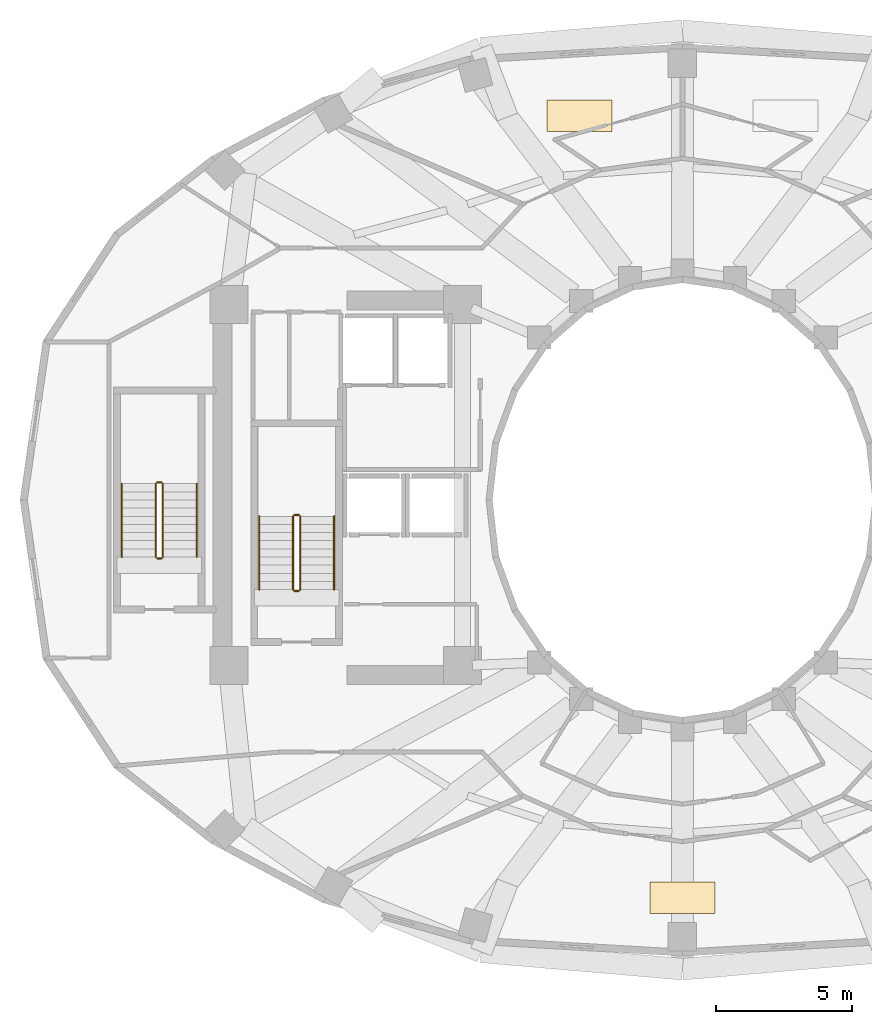
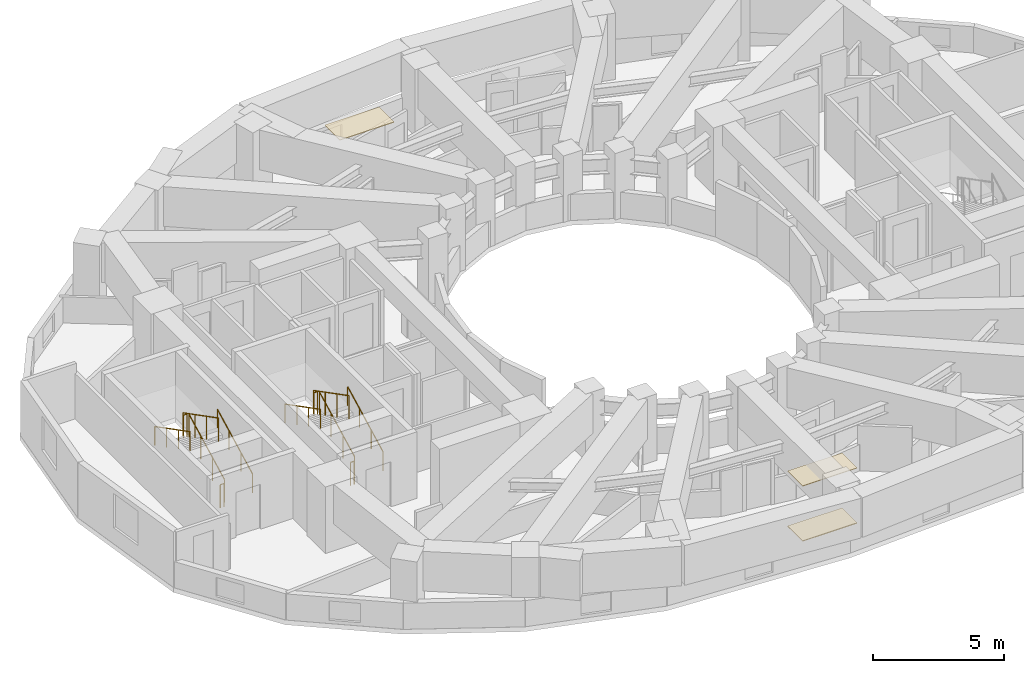
# One storey, part 8 of 9: 12 railings, 3 coverings.
"""IFC4 building model written with IfcOpenShell, lengths in metres."""

from ifc_helpers import new_model, si_unit, direction, frame, origin, origin_2d, place, context, subcontext, project, spatial, polyline, circle, outline, extrude, material, layer, layer_set, type_object, element, save


model = new_model("IFC4")

# Units and contexts
model_context = context("Model", 3, precision=1e-05, world=origin(), true_north=direction((0.0, 1.0)))
body_context = subcontext(model_context, "Body", "Model", "MODEL_VIEW")
ifc_project = project(units=[si_unit("LENGTHUNIT", "METRE"), si_unit("AREAUNIT", "SQUARE_METRE"), si_unit("VOLUMEUNIT", "CUBIC_METRE"), si_unit("PLANEANGLEUNIT", "RADIAN"), si_unit("MASSUNIT", "GRAM", prefix="KILO")], contexts=[model_context])

# Site, building, storey
site_placement = place(None, origin())
site = spatial("IfcSite", under=ifc_project, at=site_placement, CompositionType="ELEMENT")
building_placement = place(site_placement, origin())
building = spatial("IfcBuilding", under=site, at=building_placement, Name="Solvane Sanctuary Tower", CompositionType="ELEMENT")
storey_placement = place(building_placement, frame((0.0, 0.0, 125.89990234375)))
storey = spatial("IfcBuildingStorey", under=building, at=storey_placement, Name="L38", CompositionType="ELEMENT", Elevation=125.89990234375)

# Coverings
ifc_material_1 = material(Name="Acoustic Gypsum Partition Board")
ifc_layer_1 = layer(ifc_material_1, 0.02490234375, Name="Acoustic Gypsum Partition Board")
ifc_layer_set_1 = layer_set([ifc_layer_1], Name="Acoustic Gypsum Partition Board")
covering_type_1 = type_object("IfcCoveringType", Name="Covering CLG-ACOUST", PredefinedType="CEILING", material=ifc_layer_set_1)
covering_1_placement = place(storey_placement, frame((0.0, 0.0, 2.570068359375)))
element("IfcCovering", 1, at=covering_1_placement, inside=storey, type_object=covering_type_1, Name="L38 Unit Acoustic Ceiling Panel 2", PredefinedType="CEILING", context=body_context, shape_type="SweptSolid", body=[
    extrude(outline(polyline([(27.008056640625, 36.575927734375), (29.407958984375, 36.575927734375), (29.407958984375, 37.72607421875), (27.008056640625, 37.72607421875), (27.008056640625, 36.575927734375)])), origin(), (0.0, 0.0, 1.0), 0.030029296875),
])
covering_2_placement = place(storey_placement, frame((0.0, 0.0, 2.570068359375)))
element("IfcCovering", 2, at=covering_2_placement, inside=storey, type_object=covering_type_1, Name="L38 Unit Acoustic Ceiling Panel 3", PredefinedType="CEILING", context=body_context, shape_type="SweptSolid", body=[
    extrude(outline(polyline([(30.800048828125, 7.77490234375), (33.199951171875, 7.77490234375), (33.199951171875, 8.925048828125), (30.800048828125, 8.925048828125), (30.800048828125, 7.77490234375)])), origin(), (0.0, 0.0, 1.0), 0.030029296875),
])
ifc_material_2 = material(Name="Ceramic Tile Finish")
ifc_layer_2 = layer(ifc_material_2, 0.030029296875, Name="Ceramic Tile Finish")
ifc_layer_set_2 = layer_set([ifc_layer_2], Name="Ceramic Tile Finish")
covering_type_2 = type_object("IfcCoveringType", Name="Covering FLR-TERRAZZO", PredefinedType="FLOORING", material=ifc_layer_set_2)
covering_3_placement = place(storey_placement, origin())
element("IfcCovering", 3, at=covering_3_placement, inside=storey, type_object=covering_type_2, Name="L38 Unit Terrazzo Inlay 3", PredefinedType="FLOORING", context=body_context, shape_type="SweptSolid", body=[
    extrude(outline(polyline([(30.800048828125, 7.77490234375), (33.199951171875, 7.77490234375), (33.199951171875, 8.925048828125), (30.800048828125, 8.925048828125), (30.800048828125, 7.77490234375)])), origin(), (0.0, 0.0, 1.0), 0.03515625),
])

# Railings
ifc_material_3 = material(Name="Architectural Stainless Steel 316", Category="steel")
railing_type_1 = type_object("IfcRailingType", Name="Railing GR-BALC-1150", PredefinedType="BALUSTRADE", material=ifc_material_3)
railing_1_placement = place(storey_placement, frame((17.919921875, 19.699951171875, 0.155029296875)))
element("IfcRailing", 4, at=railing_1_placement, inside=storey, type_object=railing_type_1, Name="L38 ST-1 stair guard 1", PredefinedType="BALUSTRADE", context=body_context, shape_type="SweptSolid", body=[
    extrude(circle(Radius=0.02392578125, at=origin_2d()), frame((0.0, 0.0, 1.076171875), z_axis=(0.0, 0.888419900624, 0.459031676658), x_axis=(-1.0, 0.0, 0.0)), (0.0, 0.0, 1.0), 3.0390625),
    extrude(circle(Radius=0.02099609375, at=origin_2d()), origin(), (0.0, 0.0, 1.0), 1.052001953125),
    extrude(circle(Radius=0.02099609375, at=origin_2d()), frame((0.0, 0.89990234375, 0.465087890625)), (0.0, 0.0, 1.0), 1.052001953125),
    extrude(circle(Radius=0.02099609375, at=origin_2d()), frame((0.0, 1.800048828125, 0.929931640625)), (0.0, 0.0, 1.0), 1.052001953125),
    extrude(circle(Radius=0.02099609375, at=origin_2d()), frame((0.0, 2.699951171875, 1.39501953125)), (0.0, 0.0, 1.0), 1.052001953125),
])
railing_2_placement = place(storey_placement, frame((17.8701171875, 22.449951171875, 1.550048828125)))
element("IfcRailing", 5, at=railing_2_placement, inside=storey, type_object=railing_type_1, Name="L38 ST-1 stair guard 2", PredefinedType="BALUSTRADE", context=body_context, shape_type="SweptSolid", body=[
    extrude(circle(Radius=0.02392578125, at=origin_2d()), frame((0.0, 0.0, 1.076171875), z_axis=(-1.0, 0.0, 0.0), x_axis=(0.0, -1.0, 0.0)), (0.0, 0.0, 1.0), 0.16015625),
    extrude(circle(Radius=0.02099609375, at=origin_2d()), origin(), (0.0, 0.0, 1.0), 1.052001953125),
    extrude(circle(Radius=0.02099609375, at=origin_2d()), frame((-0.16015625, 0.0, 0.0)), (0.0, 0.0, 1.0), 1.052001953125),
])
railing_3_placement = place(storey_placement, frame((17.659912109375, 22.39990234375, 1.705078125)))
element("IfcRailing", 6, at=railing_3_placement, inside=storey, type_object=railing_type_1, Name="L38 ST-1 stair guard 3", PredefinedType="BALUSTRADE", context=body_context, shape_type="SweptSolid", body=[
    extrude(circle(Radius=0.02392578125, at=origin_2d()), frame((0.0, 0.0, 1.076171875), z_axis=(0.0, -0.888419900624, 0.459031676658), x_axis=(1.0, 0.0, 0.0)), (0.0, 0.0, 1.0), 3.0390625),
    extrude(circle(Radius=0.02099609375, at=origin_2d()), origin(), (0.0, 0.0, 1.0), 1.052001953125),
    extrude(circle(Radius=0.02099609375, at=origin_2d()), frame((0.0, -0.89990234375, 0.465087890625)), (0.0, 0.0, 1.0), 1.052001953125),
    extrude(circle(Radius=0.02099609375, at=origin_2d()), frame((0.0, -1.800048828125, 0.929931640625)), (0.0, 0.0, 1.0), 1.052001953125),
    extrude(circle(Radius=0.02099609375, at=origin_2d()), frame((0.0, -2.699951171875, 1.39501953125)), (0.0, 0.0, 1.0), 1.052001953125),
])
railing_4_placement = place(storey_placement, frame((17.8701171875, 19.64990234375, 0.0)))
element("IfcRailing", 7, at=railing_4_placement, inside=storey, type_object=railing_type_1, Name="L38 ST-1 stair guard 4", PredefinedType="BALUSTRADE", context=body_context, shape_type="SweptSolid", body=[
    extrude(circle(Radius=0.02392578125, at=origin_2d()), frame((0.0, 0.0, 1.076171875), z_axis=(-1.0, 0.0, 0.0), x_axis=(0.0, -1.0, 0.0)), (0.0, 0.0, 1.0), 0.16015625),
    extrude(circle(Radius=0.02099609375, at=origin_2d()), origin(), (0.0, 0.0, 1.0), 1.052001953125),
    extrude(circle(Radius=0.02099609375, at=origin_2d()), frame((-0.16015625, 0.0, 0.0)), (0.0, 0.0, 1.0), 1.052001953125),
])
railing_5_placement = place(storey_placement, frame((12.860107421875, 20.89990234375, 0.155029296875)))
element("IfcRailing", 8, at=railing_5_placement, inside=storey, type_object=railing_type_1, Name="L38 ST-3 stair guard 1", PredefinedType="BALUSTRADE", context=body_context, shape_type="SweptSolid", body=[
    extrude(circle(Radius=0.02392578125, at=origin_2d()), frame((0.0, 0.0, 1.076171875), z_axis=(0.0, 0.888436826113, 0.458998917216), x_axis=(-1.0, 0.0, 0.0)), (0.0, 0.0, 1.0), 3.039306640625),
    extrude(circle(Radius=0.02099609375, at=origin_2d()), origin(), (0.0, 0.0, 1.0), 1.052001953125),
    extrude(circle(Radius=0.02099609375, at=origin_2d()), frame((0.0, 0.900146484375, 0.465087890625)), (0.0, 0.0, 1.0), 1.052001953125),
    extrude(circle(Radius=0.02099609375, at=origin_2d()), frame((0.0, 1.800048828125, 0.929931640625)), (0.0, 0.0, 1.0), 1.052001953125),
    extrude(circle(Radius=0.02099609375, at=origin_2d()), frame((0.0, 2.7001953125, 1.39501953125)), (0.0, 0.0, 1.0), 1.052001953125),
])
railing_6_placement = place(storey_placement, frame((12.81005859375, 23.64990234375, 1.550048828125)))
element("IfcRailing", 9, at=railing_6_placement, inside=storey, type_object=railing_type_1, Name="L38 ST-3 stair guard 2", PredefinedType="BALUSTRADE", context=body_context, shape_type="SweptSolid", body=[
    extrude(circle(Radius=0.02392578125, at=origin_2d()), frame((0.0, 0.0, 1.076171875), z_axis=(-1.0, 0.0, 0.0), x_axis=(0.0, -1.0, 0.0)), (0.0, 0.0, 1.0), 0.16015625),
    extrude(circle(Radius=0.02099609375, at=origin_2d()), origin(), (0.0, 0.0, 1.0), 1.052001953125),
    extrude(circle(Radius=0.02099609375, at=origin_2d()), frame((-0.16015625, 0.0, 0.0)), (0.0, 0.0, 1.0), 1.052001953125),
])
railing_7_placement = place(storey_placement, frame((12.60009765625, 23.60009765625, 1.705078125)))
element("IfcRailing", 10, at=railing_7_placement, inside=storey, type_object=railing_type_1, Name="L38 ST-3 stair guard 3", PredefinedType="BALUSTRADE", context=body_context, shape_type="SweptSolid", body=[
    extrude(circle(Radius=0.02392578125, at=origin_2d()), frame((0.0, 0.0, 1.076171875), z_axis=(0.0, -0.888436826113, 0.458998917216), x_axis=(1.0, 0.0, 0.0)), (0.0, 0.0, 1.0), 3.039306640625),
    extrude(circle(Radius=0.02099609375, at=origin_2d()), origin(), (0.0, 0.0, 1.0), 1.052001953125),
    extrude(circle(Radius=0.02099609375, at=origin_2d()), frame((0.0, -0.900146484375, 0.465087890625)), (0.0, 0.0, 1.0), 1.052001953125),
    extrude(circle(Radius=0.02099609375, at=origin_2d()), frame((0.0, -1.800048828125, 0.929931640625)), (0.0, 0.0, 1.0), 1.052001953125),
    extrude(circle(Radius=0.02099609375, at=origin_2d()), frame((0.0, -2.7001953125, 1.39501953125)), (0.0, 0.0, 1.0), 1.052001953125),
])
railing_8_placement = place(storey_placement, frame((12.81005859375, 20.85009765625, 0.0)))
element("IfcRailing", 11, at=railing_8_placement, inside=storey, type_object=railing_type_1, Name="L38 ST-3 stair guard 4", PredefinedType="BALUSTRADE", context=body_context, shape_type="SweptSolid", body=[
    extrude(circle(Radius=0.02392578125, at=origin_2d()), frame((0.0, 0.0, 1.076171875), z_axis=(-1.0, 0.0, 0.0), x_axis=(0.0, -1.0, 0.0)), (0.0, 0.0, 1.0), 0.16015625),
    extrude(circle(Radius=0.02099609375, at=origin_2d()), origin(), (0.0, 0.0, 1.0), 1.052001953125),
    extrude(circle(Radius=0.02099609375, at=origin_2d()), frame((-0.16015625, 0.0, 0.0)), (0.0, 0.0, 1.0), 1.052001953125),
])
railing_type_2 = type_object("IfcRailingType", Name="Railing HR-STAIR-920", PredefinedType="HANDRAIL", material=ifc_material_3)
railing_9_placement = place(storey_placement, frame((19.169921875, 19.699951171875, 0.155029296875)))
element("IfcRailing", 12, at=railing_9_placement, inside=storey, type_object=railing_type_2, Name="L38 ST-1 stair handrail 1", PredefinedType="HANDRAIL", context=body_context, shape_type="SweptSolid", body=[
    extrude(circle(Radius=0.02392578125, at=origin_2d()), frame((0.0, 0.0, 0.8759765625), z_axis=(0.0, 0.888419900624, 0.459031676658), x_axis=(-1.0, 0.0, 0.0)), (0.0, 0.0, 1.0), 3.0390625),
    extrude(circle(Radius=0.02099609375, at=origin_2d()), origin(), (0.0, 0.0, 1.0), 0.851806640625),
    extrude(circle(Radius=0.02099609375, at=origin_2d()), frame((0.0, 0.89990234375, 0.465087890625)), (0.0, 0.0, 1.0), 0.851806640625),
    extrude(circle(Radius=0.02099609375, at=origin_2d()), frame((0.0, 1.800048828125, 0.929931640625)), (0.0, 0.0, 1.0), 0.851806640625),
    extrude(circle(Radius=0.02099609375, at=origin_2d()), frame((0.0, 2.699951171875, 1.39501953125)), (0.0, 0.0, 1.0), 0.851806640625),
])
railing_10_placement = place(storey_placement, frame((16.409912109375, 22.39990234375, 1.705078125)))
element("IfcRailing", 13, at=railing_10_placement, inside=storey, type_object=railing_type_2, Name="L38 ST-1 stair handrail 2", PredefinedType="HANDRAIL", context=body_context, shape_type="SweptSolid", body=[
    extrude(circle(Radius=0.02392578125, at=origin_2d()), frame((0.0, 0.0, 0.8759765625), z_axis=(0.0, -0.888419900624, 0.459031676658), x_axis=(1.0, 0.0, 0.0)), (0.0, 0.0, 1.0), 3.0390625),
    extrude(circle(Radius=0.02099609375, at=origin_2d()), origin(), (0.0, 0.0, 1.0), 0.851806640625),
    extrude(circle(Radius=0.02099609375, at=origin_2d()), frame((0.0, -0.89990234375, 0.465087890625)), (0.0, 0.0, 1.0), 0.851806640625),
    extrude(circle(Radius=0.02099609375, at=origin_2d()), frame((0.0, -1.800048828125, 0.929931640625)), (0.0, 0.0, 1.0), 0.851806640625),
    extrude(circle(Radius=0.02099609375, at=origin_2d()), frame((0.0, -2.699951171875, 1.39501953125)), (0.0, 0.0, 1.0), 0.851806640625),
])
railing_11_placement = place(storey_placement, frame((14.110107421875, 20.89990234375, 0.155029296875)))
element("IfcRailing", 14, at=railing_11_placement, inside=storey, type_object=railing_type_2, Name="L38 ST-3 stair handrail 1", PredefinedType="HANDRAIL", context=body_context, shape_type="SweptSolid", body=[
    extrude(circle(Radius=0.02392578125, at=origin_2d()), frame((0.0, 0.0, 0.8759765625), z_axis=(0.0, 0.888436826113, 0.458998917216), x_axis=(-1.0, 0.0, 0.0)), (0.0, 0.0, 1.0), 3.039306640625),
    extrude(circle(Radius=0.02099609375, at=origin_2d()), origin(), (0.0, 0.0, 1.0), 0.851806640625),
    extrude(circle(Radius=0.02099609375, at=origin_2d()), frame((0.0, 0.900146484375, 0.465087890625)), (0.0, 0.0, 1.0), 0.851806640625),
    extrude(circle(Radius=0.02099609375, at=origin_2d()), frame((0.0, 1.800048828125, 0.929931640625)), (0.0, 0.0, 1.0), 0.851806640625),
    extrude(circle(Radius=0.02099609375, at=origin_2d()), frame((0.0, 2.7001953125, 1.39501953125)), (0.0, 0.0, 1.0), 0.851806640625),
])
railing_12_placement = place(storey_placement, frame((11.35009765625, 23.60009765625, 1.705078125)))
element("IfcRailing", 15, at=railing_12_placement, inside=storey, type_object=railing_type_2, Name="L38 ST-3 stair handrail 2", PredefinedType="HANDRAIL", context=body_context, shape_type="SweptSolid", body=[
    extrude(circle(Radius=0.02392578125, at=origin_2d()), frame((0.0, 0.0, 0.8759765625), z_axis=(0.0, -0.888436826113, 0.458998917216), x_axis=(1.0, 0.0, 0.0)), (0.0, 0.0, 1.0), 3.039306640625),
    extrude(circle(Radius=0.02099609375, at=origin_2d()), origin(), (0.0, 0.0, 1.0), 0.851806640625),
    extrude(circle(Radius=0.02099609375, at=origin_2d()), frame((0.0, -0.900146484375, 0.465087890625)), (0.0, 0.0, 1.0), 0.851806640625),
    extrude(circle(Radius=0.02099609375, at=origin_2d()), frame((0.0, -1.800048828125, 0.929931640625)), (0.0, 0.0, 1.0), 0.851806640625),
    extrude(circle(Radius=0.02099609375, at=origin_2d()), frame((0.0, -2.7001953125, 1.39501953125)), (0.0, 0.0, 1.0), 0.851806640625),
])

save(model, "model.ifc")
